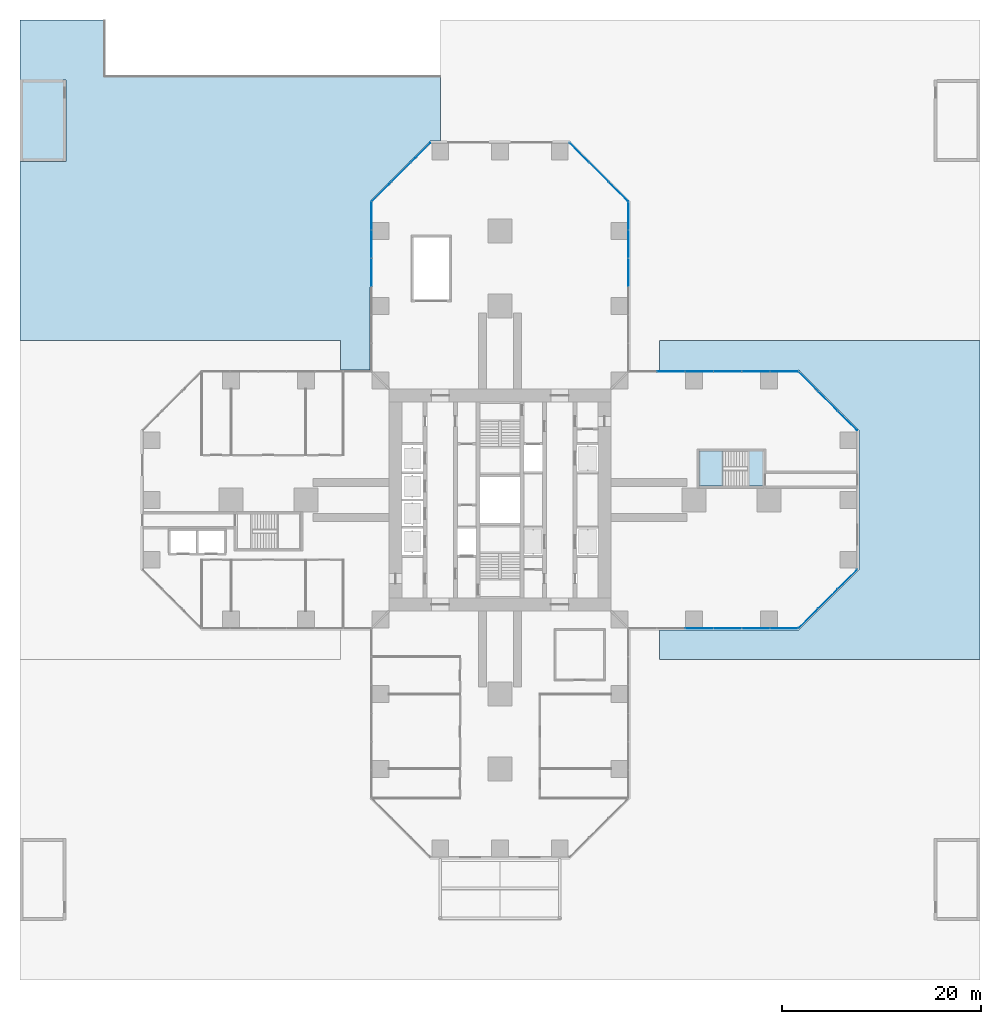
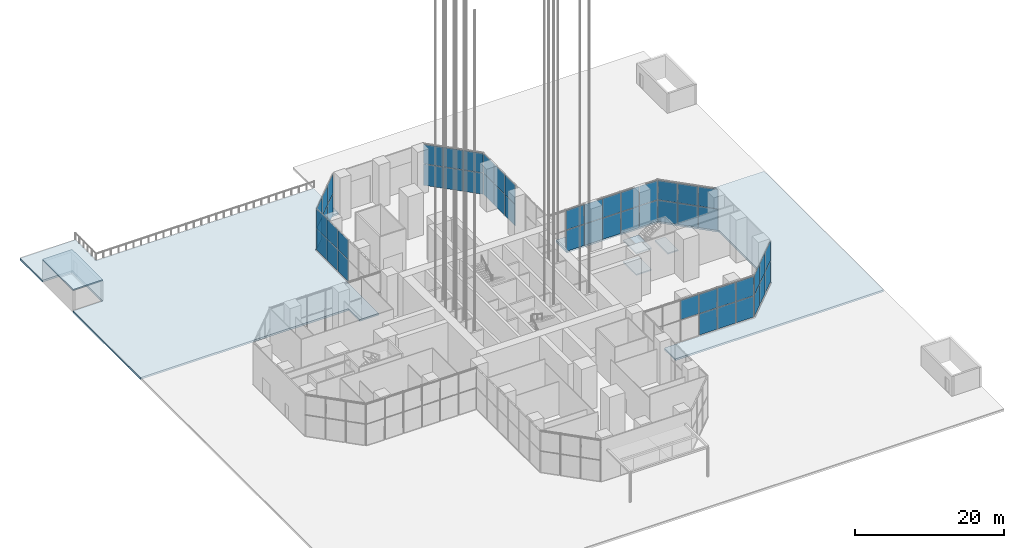
# One storey, part 15 of 43: 53 plates, 6 slabs, 9 elements without a shape of their own.
"""IFC4 building model written with IfcOpenShell, lengths in metres."""

from ifc_helpers import new_model, si_unit, direction, frame, origin, origin_2d, place, context, subcontext, project, spatial, polyline, rectangle, outline, extrude, material, layer, layer_set, type_object, element, aggregate, save


model = new_model("IFC4")

# Units and contexts
model_context = context("Model", 3, precision=1e-05, world=origin(), true_north=direction((0.0, 1.0)))
body_context = subcontext(model_context, "Body", "Model", "MODEL_VIEW")
ifc_project = project(units=[si_unit("LENGTHUNIT", "METRE"), si_unit("AREAUNIT", "SQUARE_METRE"), si_unit("VOLUMEUNIT", "CUBIC_METRE"), si_unit("PLANEANGLEUNIT", "RADIAN"), si_unit("MASSUNIT", "GRAM", prefix="KILO")], contexts=[model_context])

# Site, building, storey
site_placement = place(None, origin())
site = spatial("IfcSite", under=ifc_project, at=site_placement, CompositionType="ELEMENT")
building_placement = place(site_placement, origin())
building = spatial("IfcBuilding", under=site, at=building_placement, Name="Mizan Broadcast Tower", CompositionType="ELEMENT")
storey_placement = place(building_placement, origin())
storey = spatial("IfcBuildingStorey", under=building, at=storey_placement, Name="L00", CompositionType="ELEMENT", Elevation=0.0)

# Curtain wall, plates
ifc_material_1 = material(Name="Aluminium framed glazing", Category="aluminium")
curtain_wall_type = type_object("IfcCurtainWallType", Name="PODIUM CURTAIN WALL", PredefinedType="USERDEFINED", material=ifc_material_1)
curtain_wall_1_placement = place(storey_placement, origin())
curtain_wall_1 = element("IfcCurtainWall", 1, at=curtain_wall_1_placement, inside=storey, type_object=curtain_wall_type, Name="Podium curtain wall L00 E side", ObjectType="PODIUM CURTAIN WALL", PredefinedType="USERDEFINED")
ifc_material_2 = material(Name="Double glazing, clear laminated", Category="glass")
ifc_layer_1 = layer(ifc_material_2, 0.031982421875)
ifc_layer_set_1 = layer_set([ifc_layer_1], Name="Double glazing, clear laminated")
plate_type = type_object("IfcPlateType", Name="PODIUM GLAZING UNIT", PredefinedType="CURTAIN_PANEL", material=ifc_layer_set_1)
plate_1_placement = place(storey_placement, frame((20.0078125, -12.89990234375, 3.5302734375), z_axis=(0.0, 0.0, 1.0), x_axis=(1.0, 0.0, 0.0)))
plate_1 = element("IfcPlate", 2, at=plate_1_placement, type_object=plate_type, Name="Podium curtain wall L00 E side panel 3.2", PredefinedType="CURTAIN_PANEL", context=body_context, shape_type="SweptSolid", body=[
    extrude(rectangle(XDim=2.783203125, YDim=0.031982421875, at=origin_2d()), origin(), (0.0, 0.0, 1.0), 3.159912109375),
])
plate_2_placement = place(storey_placement, frame((22.850830078125, -12.89990234375, 0.0), z_axis=(0.0, 0.0, 1.0), x_axis=(1.0, 0.0, 0.0)))
plate_2 = element("IfcPlate", 3, at=plate_2_placement, type_object=plate_type, Name="Podium curtain wall L00 E side panel 4.1", PredefinedType="CURTAIN_PANEL", context=body_context, shape_type="SweptSolid", body=[
    extrude(rectangle(XDim=2.783203125, YDim=0.031982421875, at=origin_2d()), origin(), (0.0, 0.0, 1.0), 3.469970703125),
])
plate_3_placement = place(storey_placement, frame((22.850830078125, -12.89990234375, 3.5302734375), z_axis=(0.0, 0.0, 1.0), x_axis=(1.0, 0.0, 0.0)))
plate_3 = element("IfcPlate", 4, at=plate_3_placement, type_object=plate_type, Name="Podium curtain wall L00 E side panel 4.2", PredefinedType="CURTAIN_PANEL", context=body_context, shape_type="SweptSolid", body=[
    extrude(rectangle(XDim=2.783203125, YDim=0.031982421875, at=origin_2d()), origin(), (0.0, 0.0, 1.0), 3.159912109375),
])
plate_4_placement = place(storey_placement, frame((25.69384765625, -12.89990234375, 0.0), z_axis=(0.0, 0.0, 1.0), x_axis=(1.0, 0.0, 0.0)))
plate_4 = element("IfcPlate", 5, at=plate_4_placement, type_object=plate_type, Name="Podium curtain wall L00 E side panel 5.1", PredefinedType="CURTAIN_PANEL", context=body_context, shape_type="SweptSolid", body=[
    extrude(rectangle(XDim=2.783203125, YDim=0.031982421875, at=origin_2d()), origin(), (0.0, 0.0, 1.0), 3.469970703125),
])
plate_5_placement = place(storey_placement, frame((25.69384765625, -12.89990234375, 3.5302734375), z_axis=(0.0, 0.0, 1.0), x_axis=(1.0, 0.0, 0.0)))
plate_5 = element("IfcPlate", 6, at=plate_5_placement, type_object=plate_type, Name="Podium curtain wall L00 E side panel 5.2", PredefinedType="CURTAIN_PANEL", context=body_context, shape_type="SweptSolid", body=[
    extrude(rectangle(XDim=2.783203125, YDim=0.031982421875, at=origin_2d()), origin(), (0.0, 0.0, 1.0), 3.159912109375),
])
plate_6_placement = place(storey_placement, frame((28.52197265625, -12.89990234375, 0.0), z_axis=(0.0, 0.0, 1.0), x_axis=(1.0, 0.0, 0.0)))
plate_6 = element("IfcPlate", 7, at=plate_6_placement, type_object=plate_type, Name="Podium curtain wall L00 E side panel 6.1", PredefinedType="CURTAIN_PANEL", context=body_context, shape_type="SweptSolid", body=[
    extrude(rectangle(XDim=2.753173828125, YDim=0.031982421875, at=origin_2d()), origin(), (0.0, 0.0, 1.0), 3.469970703125),
])
plate_7_placement = place(storey_placement, frame((28.52197265625, -12.89990234375, 3.5302734375), z_axis=(0.0, 0.0, 1.0), x_axis=(1.0, 0.0, 0.0)))
plate_7 = element("IfcPlate", 8, at=plate_7_placement, type_object=plate_type, Name="Podium curtain wall L00 E side panel 6.2", PredefinedType="CURTAIN_PANEL", context=body_context, shape_type="SweptSolid", body=[
    extrude(rectangle(XDim=2.753173828125, YDim=0.031982421875, at=origin_2d()), origin(), (0.0, 0.0, 1.0), 3.159912109375),
])
aggregate(curtain_wall_1, [plate_1, plate_2, plate_3, plate_4, plate_5, plate_6, plate_7])

curtain_wall_2_placement = place(storey_placement, origin())
curtain_wall_2 = element("IfcCurtainWall", 9, at=curtain_wall_2_placement, inside=storey, type_object=curtain_wall_type, Name="Podium curtain wall L00 E chamfer", ObjectType="PODIUM CURTAIN WALL", PredefinedType="USERDEFINED")
plate_8_placement = place(storey_placement, frame((30.95947265625, -11.899169921875, 0.0), z_axis=(0.0, 0.0, 1.0), x_axis=(0.707106781187, 0.707106781187, 0.0)))
plate_8 = element("IfcPlate", 10, at=plate_8_placement, type_object=plate_type, Name="Podium curtain wall L00 E chamfer panel 1.1", PredefinedType="CURTAIN_PANEL", context=body_context, shape_type="SweptSolid", body=[
    extrude(rectangle(XDim=2.710693359375, YDim=0.031982421875, at=origin_2d()), origin(), (0.0, 0.0, 1.0), 3.469970703125),
])
plate_9_placement = place(storey_placement, frame((30.95947265625, -11.899169921875, 3.5302734375), z_axis=(0.0, 0.0, 1.0), x_axis=(0.707106781187, 0.707106781187, 0.0)))
plate_9 = element("IfcPlate", 11, at=plate_9_placement, type_object=plate_type, Name="Podium curtain wall L00 E chamfer panel 1.2", PredefinedType="CURTAIN_PANEL", context=body_context, shape_type="SweptSolid", body=[
    extrude(rectangle(XDim=2.710693359375, YDim=0.031982421875, at=origin_2d()), origin(), (0.0, 0.0, 1.0), 3.159912109375),
])
plate_10_placement = place(storey_placement, frame((32.92919921875, -9.92919921875, 0.0), z_axis=(0.0, 0.0, 1.0), x_axis=(0.707106781187, 0.707106781187, 0.0)))
plate_10 = element("IfcPlate", 12, at=plate_10_placement, type_object=plate_type, Name="Podium curtain wall L00 E chamfer panel 2.1", PredefinedType="CURTAIN_PANEL", context=body_context, shape_type="SweptSolid", body=[
    extrude(rectangle(XDim=2.74072265625, YDim=0.031982421875, at=origin_2d()), origin(), (0.0, 0.0, 1.0), 3.469970703125),
])
plate_11_placement = place(storey_placement, frame((32.92919921875, -9.92919921875, 3.5302734375), z_axis=(0.0, 0.0, 1.0), x_axis=(0.707106781187, 0.707106781187, 0.0)))
plate_11 = element("IfcPlate", 13, at=plate_11_placement, type_object=plate_type, Name="Podium curtain wall L00 E chamfer panel 2.2", PredefinedType="CURTAIN_PANEL", context=body_context, shape_type="SweptSolid", body=[
    extrude(rectangle(XDim=2.74072265625, YDim=0.031982421875, at=origin_2d()), origin(), (0.0, 0.0, 1.0), 3.159912109375),
])
plate_12_placement = place(storey_placement, frame((34.899169921875, -7.95947265625, 0.0), z_axis=(0.0, 0.0, 1.0), x_axis=(0.707106781187, 0.707106781187, 0.0)))
plate_12 = element("IfcPlate", 14, at=plate_12_placement, type_object=plate_type, Name="Podium curtain wall L00 E chamfer panel 3.1", PredefinedType="CURTAIN_PANEL", context=body_context, shape_type="SweptSolid", body=[
    extrude(rectangle(XDim=2.710693359375, YDim=0.031982421875, at=origin_2d()), origin(), (0.0, 0.0, 1.0), 3.469970703125),
])
plate_13_placement = place(storey_placement, frame((34.899169921875, -7.95947265625, 3.5302734375), z_axis=(0.0, 0.0, 1.0), x_axis=(0.707106781187, 0.707106781187, 0.0)))
plate_13 = element("IfcPlate", 15, at=plate_13_placement, type_object=plate_type, Name="Podium curtain wall L00 E chamfer panel 3.2", PredefinedType="CURTAIN_PANEL", context=body_context, shape_type="SweptSolid", body=[
    extrude(rectangle(XDim=2.710693359375, YDim=0.031982421875, at=origin_2d()), origin(), (0.0, 0.0, 1.0), 3.159912109375),
])
aggregate(curtain_wall_2, [plate_8, plate_9, plate_10, plate_11, plate_12, plate_13])

curtain_wall_3_placement = place(storey_placement, origin())
curtain_wall_3 = element("IfcCurtainWall", 16, at=curtain_wall_3_placement, inside=storey, type_object=curtain_wall_type, Name="Podium curtain wall L00 E chamfer", ObjectType="PODIUM CURTAIN WALL", PredefinedType="USERDEFINED")
plate_14_placement = place(storey_placement, frame((34.899169921875, 7.95947265625, 0.0), z_axis=(0.0, 0.0, 1.0), x_axis=(-0.707106781187, 0.707106781187, 0.0)))
plate_14 = element("IfcPlate", 17, at=plate_14_placement, type_object=plate_type, Name="Podium curtain wall L00 E chamfer panel 1.1", PredefinedType="CURTAIN_PANEL", context=body_context, shape_type="SweptSolid", body=[
    extrude(rectangle(XDim=2.710693359375, YDim=0.031982421875, at=origin_2d()), origin(), (0.0, 0.0, 1.0), 3.469970703125),
])
plate_15_placement = place(storey_placement, frame((34.899169921875, 7.95947265625, 3.5302734375), z_axis=(0.0, 0.0, 1.0), x_axis=(-0.707106781187, 0.707106781187, 0.0)))
plate_15 = element("IfcPlate", 18, at=plate_15_placement, type_object=plate_type, Name="Podium curtain wall L00 E chamfer panel 1.2", PredefinedType="CURTAIN_PANEL", context=body_context, shape_type="SweptSolid", body=[
    extrude(rectangle(XDim=2.710693359375, YDim=0.031982421875, at=origin_2d()), origin(), (0.0, 0.0, 1.0), 3.159912109375),
])
plate_16_placement = place(storey_placement, frame((32.92919921875, 9.92919921875, 0.0), z_axis=(0.0, 0.0, 1.0), x_axis=(-0.707106781187, 0.707106781187, 0.0)))
plate_16 = element("IfcPlate", 19, at=plate_16_placement, type_object=plate_type, Name="Podium curtain wall L00 E chamfer panel 2.1", PredefinedType="CURTAIN_PANEL", context=body_context, shape_type="SweptSolid", body=[
    extrude(rectangle(XDim=2.74072265625, YDim=0.031982421875, at=origin_2d()), origin(), (0.0, 0.0, 1.0), 3.469970703125),
])
plate_17_placement = place(storey_placement, frame((32.92919921875, 9.92919921875, 3.5302734375), z_axis=(0.0, 0.0, 1.0), x_axis=(-0.707106781187, 0.707106781187, 0.0)))
plate_17 = element("IfcPlate", 20, at=plate_17_placement, type_object=plate_type, Name="Podium curtain wall L00 E chamfer panel 2.2", PredefinedType="CURTAIN_PANEL", context=body_context, shape_type="SweptSolid", body=[
    extrude(rectangle(XDim=2.74072265625, YDim=0.031982421875, at=origin_2d()), origin(), (0.0, 0.0, 1.0), 3.159912109375),
])
plate_18_placement = place(storey_placement, frame((30.95947265625, 11.899169921875, 0.0), z_axis=(0.0, 0.0, 1.0), x_axis=(-0.707106781187, 0.707106781187, 0.0)))
plate_18 = element("IfcPlate", 21, at=plate_18_placement, type_object=plate_type, Name="Podium curtain wall L00 E chamfer panel 3.1", PredefinedType="CURTAIN_PANEL", context=body_context, shape_type="SweptSolid", body=[
    extrude(rectangle(XDim=2.710693359375, YDim=0.031982421875, at=origin_2d()), origin(), (0.0, 0.0, 1.0), 3.469970703125),
])
plate_19_placement = place(storey_placement, frame((30.95947265625, 11.899169921875, 3.5302734375), z_axis=(0.0, 0.0, 1.0), x_axis=(-0.707106781187, 0.707106781187, 0.0)))
plate_19 = element("IfcPlate", 22, at=plate_19_placement, type_object=plate_type, Name="Podium curtain wall L00 E chamfer panel 3.2", PredefinedType="CURTAIN_PANEL", context=body_context, shape_type="SweptSolid", body=[
    extrude(rectangle(XDim=2.710693359375, YDim=0.031982421875, at=origin_2d()), origin(), (0.0, 0.0, 1.0), 3.159912109375),
])
aggregate(curtain_wall_3, [plate_14, plate_15, plate_16, plate_17, plate_18, plate_19])

curtain_wall_4_placement = place(storey_placement, origin())
curtain_wall_4 = element("IfcCurtainWall", 23, at=curtain_wall_4_placement, inside=storey, type_object=curtain_wall_type, Name="Podium curtain wall L00 E side", ObjectType="PODIUM CURTAIN WALL", PredefinedType="USERDEFINED")
plate_20_placement = place(storey_placement, frame((28.52197265625, 12.89990234375, 0.0), z_axis=(0.0, 0.0, 1.0), x_axis=(-1.0, 0.0, 0.0)))
plate_20 = element("IfcPlate", 24, at=plate_20_placement, type_object=plate_type, Name="Podium curtain wall L00 E side panel 1.1", PredefinedType="CURTAIN_PANEL", context=body_context, shape_type="SweptSolid", body=[
    extrude(rectangle(XDim=2.753173828125, YDim=0.031982421875, at=origin_2d()), origin(), (0.0, 0.0, 1.0), 3.469970703125),
])
plate_21_placement = place(storey_placement, frame((28.52197265625, 12.89990234375, 3.5302734375), z_axis=(0.0, 0.0, 1.0), x_axis=(-1.0, 0.0, 0.0)))
plate_21 = element("IfcPlate", 25, at=plate_21_placement, type_object=plate_type, Name="Podium curtain wall L00 E side panel 1.2", PredefinedType="CURTAIN_PANEL", context=body_context, shape_type="SweptSolid", body=[
    extrude(rectangle(XDim=2.753173828125, YDim=0.031982421875, at=origin_2d()), origin(), (0.0, 0.0, 1.0), 3.159912109375),
])
plate_22_placement = place(storey_placement, frame((25.69384765625, 12.89990234375, 0.0), z_axis=(0.0, 0.0, 1.0), x_axis=(-1.0, 0.0, 0.0)))
plate_22 = element("IfcPlate", 26, at=plate_22_placement, type_object=plate_type, Name="Podium curtain wall L00 E side panel 2.1", PredefinedType="CURTAIN_PANEL", context=body_context, shape_type="SweptSolid", body=[
    extrude(rectangle(XDim=2.783203125, YDim=0.031982421875, at=origin_2d()), origin(), (0.0, 0.0, 1.0), 3.469970703125),
])
plate_23_placement = place(storey_placement, frame((25.69384765625, 12.89990234375, 3.5302734375), z_axis=(0.0, 0.0, 1.0), x_axis=(-1.0, 0.0, 0.0)))
plate_23 = element("IfcPlate", 27, at=plate_23_placement, type_object=plate_type, Name="Podium curtain wall L00 E side panel 2.2", PredefinedType="CURTAIN_PANEL", context=body_context, shape_type="SweptSolid", body=[
    extrude(rectangle(XDim=2.783203125, YDim=0.031982421875, at=origin_2d()), origin(), (0.0, 0.0, 1.0), 3.159912109375),
])
plate_24_placement = place(storey_placement, frame((22.850830078125, 12.89990234375, 0.0), z_axis=(0.0, 0.0, 1.0), x_axis=(-1.0, 0.0, 0.0)))
plate_24 = element("IfcPlate", 28, at=plate_24_placement, type_object=plate_type, Name="Podium curtain wall L00 E side panel 3.1", PredefinedType="CURTAIN_PANEL", context=body_context, shape_type="SweptSolid", body=[
    extrude(rectangle(XDim=2.783203125, YDim=0.031982421875, at=origin_2d()), origin(), (0.0, 0.0, 1.0), 3.469970703125),
])
plate_25_placement = place(storey_placement, frame((22.850830078125, 12.89990234375, 3.5302734375), z_axis=(0.0, 0.0, 1.0), x_axis=(-1.0, 0.0, 0.0)))
plate_25 = element("IfcPlate", 29, at=plate_25_placement, type_object=plate_type, Name="Podium curtain wall L00 E side panel 3.2", PredefinedType="CURTAIN_PANEL", context=body_context, shape_type="SweptSolid", body=[
    extrude(rectangle(XDim=2.783203125, YDim=0.031982421875, at=origin_2d()), origin(), (0.0, 0.0, 1.0), 3.159912109375),
])
plate_26_placement = place(storey_placement, frame((20.0078125, 12.89990234375, 0.0), z_axis=(0.0, 0.0, 1.0), x_axis=(-1.0, 0.0, 0.0)))
plate_26 = element("IfcPlate", 30, at=plate_26_placement, type_object=plate_type, Name="Podium curtain wall L00 E side panel 4.1", PredefinedType="CURTAIN_PANEL", context=body_context, shape_type="SweptSolid", body=[
    extrude(rectangle(XDim=2.783203125, YDim=0.031982421875, at=origin_2d()), origin(), (0.0, 0.0, 1.0), 3.469970703125),
])
plate_27_placement = place(storey_placement, frame((20.0078125, 12.89990234375, 3.5302734375), z_axis=(0.0, 0.0, 1.0), x_axis=(-1.0, 0.0, 0.0)))
plate_27 = element("IfcPlate", 31, at=plate_27_placement, type_object=plate_type, Name="Podium curtain wall L00 E side panel 4.2", PredefinedType="CURTAIN_PANEL", context=body_context, shape_type="SweptSolid", body=[
    extrude(rectangle(XDim=2.783203125, YDim=0.031982421875, at=origin_2d()), origin(), (0.0, 0.0, 1.0), 3.159912109375),
])
plate_28_placement = place(storey_placement, frame((17.16455078125, 12.89990234375, 0.0), z_axis=(0.0, 0.0, 1.0), x_axis=(-1.0, 0.0, 0.0)))
plate_28 = element("IfcPlate", 32, at=plate_28_placement, type_object=plate_type, Name="Podium curtain wall L00 E side panel 5.1", PredefinedType="CURTAIN_PANEL", context=body_context, shape_type="SweptSolid", body=[
    extrude(rectangle(XDim=2.783203125, YDim=0.031982421875, at=origin_2d()), origin(), (0.0, 0.0, 1.0), 3.469970703125),
])
plate_29_placement = place(storey_placement, frame((17.16455078125, 12.89990234375, 3.5302734375), z_axis=(0.0, 0.0, 1.0), x_axis=(-1.0, 0.0, 0.0)))
plate_29 = element("IfcPlate", 33, at=plate_29_placement, type_object=plate_type, Name="Podium curtain wall L00 E side panel 5.2", PredefinedType="CURTAIN_PANEL", context=body_context, shape_type="SweptSolid", body=[
    extrude(rectangle(XDim=2.783203125, YDim=0.031982421875, at=origin_2d()), origin(), (0.0, 0.0, 1.0), 3.159912109375),
])
aggregate(curtain_wall_4, [plate_20, plate_21, plate_22, plate_23, plate_24, plate_25, plate_26, plate_27, plate_28, plate_29])

curtain_wall_5_placement = place(storey_placement, origin())
curtain_wall_5 = element("IfcCurtainWall", 34, at=curtain_wall_5_placement, inside=storey, type_object=curtain_wall_type, Name="Podium curtain wall L00 N side", ObjectType="PODIUM CURTAIN WALL", PredefinedType="USERDEFINED")
plate_30_placement = place(storey_placement, frame((12.89990234375, 22.850830078125, 0.0), z_axis=(0.0, 0.0, 1.0), x_axis=(0.0, 1.0, 0.0)))
plate_30 = element("IfcPlate", 35, at=plate_30_placement, type_object=plate_type, Name="Podium curtain wall L00 N side panel 4.1", PredefinedType="CURTAIN_PANEL", context=body_context, shape_type="SweptSolid", body=[
    extrude(rectangle(XDim=2.783203125, YDim=0.031982421875, at=origin_2d()), origin(), (0.0, 0.0, 1.0), 3.469970703125),
])
plate_31_placement = place(storey_placement, frame((12.89990234375, 22.850830078125, 3.5302734375), z_axis=(0.0, 0.0, 1.0), x_axis=(0.0, 1.0, 0.0)))
plate_31 = element("IfcPlate", 36, at=plate_31_placement, type_object=plate_type, Name="Podium curtain wall L00 N side panel 4.2", PredefinedType="CURTAIN_PANEL", context=body_context, shape_type="SweptSolid", body=[
    extrude(rectangle(XDim=2.783203125, YDim=0.031982421875, at=origin_2d()), origin(), (0.0, 0.0, 1.0), 3.159912109375),
])
plate_32_placement = place(storey_placement, frame((12.89990234375, 25.69384765625, 0.0), z_axis=(0.0, 0.0, 1.0), x_axis=(0.0, 1.0, 0.0)))
plate_32 = element("IfcPlate", 37, at=plate_32_placement, type_object=plate_type, Name="Podium curtain wall L00 N side panel 5.1", PredefinedType="CURTAIN_PANEL", context=body_context, shape_type="SweptSolid", body=[
    extrude(rectangle(XDim=2.783203125, YDim=0.031982421875, at=origin_2d()), origin(), (0.0, 0.0, 1.0), 3.469970703125),
])
plate_33_placement = place(storey_placement, frame((12.89990234375, 25.69384765625, 3.5302734375), z_axis=(0.0, 0.0, 1.0), x_axis=(0.0, 1.0, 0.0)))
plate_33 = element("IfcPlate", 38, at=plate_33_placement, type_object=plate_type, Name="Podium curtain wall L00 N side panel 5.2", PredefinedType="CURTAIN_PANEL", context=body_context, shape_type="SweptSolid", body=[
    extrude(rectangle(XDim=2.783203125, YDim=0.031982421875, at=origin_2d()), origin(), (0.0, 0.0, 1.0), 3.159912109375),
])
plate_34_placement = place(storey_placement, frame((12.89990234375, 28.52197265625, 0.0), z_axis=(0.0, 0.0, 1.0), x_axis=(0.0, 1.0, 0.0)))
plate_34 = element("IfcPlate", 39, at=plate_34_placement, type_object=plate_type, Name="Podium curtain wall L00 N side panel 6.1", PredefinedType="CURTAIN_PANEL", context=body_context, shape_type="SweptSolid", body=[
    extrude(rectangle(XDim=2.753173828125, YDim=0.031982421875, at=origin_2d()), origin(), (0.0, 0.0, 1.0), 3.469970703125),
])
plate_35_placement = place(storey_placement, frame((12.89990234375, 28.52197265625, 3.5302734375), z_axis=(0.0, 0.0, 1.0), x_axis=(0.0, 1.0, 0.0)))
plate_35 = element("IfcPlate", 40, at=plate_35_placement, type_object=plate_type, Name="Podium curtain wall L00 N side panel 6.2", PredefinedType="CURTAIN_PANEL", context=body_context, shape_type="SweptSolid", body=[
    extrude(rectangle(XDim=2.753173828125, YDim=0.031982421875, at=origin_2d()), origin(), (0.0, 0.0, 1.0), 3.159912109375),
])
aggregate(curtain_wall_5, [plate_30, plate_31, plate_32, plate_33, plate_34, plate_35])

curtain_wall_6_placement = place(storey_placement, origin())
curtain_wall_6 = element("IfcCurtainWall", 41, at=curtain_wall_6_placement, inside=storey, type_object=curtain_wall_type, Name="Podium curtain wall L00 N chamfer", ObjectType="PODIUM CURTAIN WALL", PredefinedType="USERDEFINED")
plate_36_placement = place(storey_placement, frame((11.899169921875, 30.95947265625, 0.0), z_axis=(0.0, 0.0, 1.0), x_axis=(-0.707106781187, 0.707106781187, 0.0)))
plate_36 = element("IfcPlate", 42, at=plate_36_placement, type_object=plate_type, Name="Podium curtain wall L00 N chamfer panel 1.1", PredefinedType="CURTAIN_PANEL", context=body_context, shape_type="SweptSolid", body=[
    extrude(rectangle(XDim=2.710693359375, YDim=0.031982421875, at=origin_2d()), origin(), (0.0, 0.0, 1.0), 3.469970703125),
])
plate_37_placement = place(storey_placement, frame((11.899169921875, 30.95947265625, 3.5302734375), z_axis=(0.0, 0.0, 1.0), x_axis=(-0.707106781187, 0.707106781187, 0.0)))
plate_37 = element("IfcPlate", 43, at=plate_37_placement, type_object=plate_type, Name="Podium curtain wall L00 N chamfer panel 1.2", PredefinedType="CURTAIN_PANEL", context=body_context, shape_type="SweptSolid", body=[
    extrude(rectangle(XDim=2.710693359375, YDim=0.031982421875, at=origin_2d()), origin(), (0.0, 0.0, 1.0), 3.159912109375),
])
plate_38_placement = place(storey_placement, frame((9.92919921875, 32.92919921875, 0.0), z_axis=(0.0, 0.0, 1.0), x_axis=(-0.707106781187, 0.707106781187, 0.0)))
plate_38 = element("IfcPlate", 44, at=plate_38_placement, type_object=plate_type, Name="Podium curtain wall L00 N chamfer panel 2.1", PredefinedType="CURTAIN_PANEL", context=body_context, shape_type="SweptSolid", body=[
    extrude(rectangle(XDim=2.74072265625, YDim=0.031982421875, at=origin_2d()), origin(), (0.0, 0.0, 1.0), 3.469970703125),
])
plate_39_placement = place(storey_placement, frame((9.92919921875, 32.92919921875, 3.5302734375), z_axis=(0.0, 0.0, 1.0), x_axis=(-0.707106781187, 0.707106781187, 0.0)))
plate_39 = element("IfcPlate", 45, at=plate_39_placement, type_object=plate_type, Name="Podium curtain wall L00 N chamfer panel 2.2", PredefinedType="CURTAIN_PANEL", context=body_context, shape_type="SweptSolid", body=[
    extrude(rectangle(XDim=2.74072265625, YDim=0.031982421875, at=origin_2d()), origin(), (0.0, 0.0, 1.0), 3.159912109375),
])
plate_40_placement = place(storey_placement, frame((7.95947265625, 34.899169921875, 0.0), z_axis=(0.0, 0.0, 1.0), x_axis=(-0.707106781187, 0.707106781187, 0.0)))
plate_40 = element("IfcPlate", 46, at=plate_40_placement, type_object=plate_type, Name="Podium curtain wall L00 N chamfer panel 3.1", PredefinedType="CURTAIN_PANEL", context=body_context, shape_type="SweptSolid", body=[
    extrude(rectangle(XDim=2.710693359375, YDim=0.031982421875, at=origin_2d()), origin(), (0.0, 0.0, 1.0), 3.469970703125),
])
plate_41_placement = place(storey_placement, frame((7.95947265625, 34.899169921875, 3.5302734375), z_axis=(0.0, 0.0, 1.0), x_axis=(-0.707106781187, 0.707106781187, 0.0)))
plate_41 = element("IfcPlate", 47, at=plate_41_placement, type_object=plate_type, Name="Podium curtain wall L00 N chamfer panel 3.2", PredefinedType="CURTAIN_PANEL", context=body_context, shape_type="SweptSolid", body=[
    extrude(rectangle(XDim=2.710693359375, YDim=0.031982421875, at=origin_2d()), origin(), (0.0, 0.0, 1.0), 3.159912109375),
])
aggregate(curtain_wall_6, [plate_36, plate_37, plate_38, plate_39, plate_40, plate_41])

curtain_wall_7_placement = place(storey_placement, origin())
curtain_wall_7 = element("IfcCurtainWall", 48, at=curtain_wall_7_placement, inside=storey, type_object=curtain_wall_type, Name="Podium curtain wall L00 N chamfer", ObjectType="PODIUM CURTAIN WALL", PredefinedType="USERDEFINED")
plate_42_placement = place(storey_placement, frame((-7.95947265625, 34.899169921875, 0.0), z_axis=(0.0, 0.0, 1.0), x_axis=(-0.707106781187, -0.707106781187, 0.0)))
plate_42 = element("IfcPlate", 49, at=plate_42_placement, type_object=plate_type, Name="Podium curtain wall L00 N chamfer panel 1.1", PredefinedType="CURTAIN_PANEL", context=body_context, shape_type="SweptSolid", body=[
    extrude(rectangle(XDim=2.710693359375, YDim=0.031982421875, at=origin_2d()), origin(), (0.0, 0.0, 1.0), 3.469970703125),
])
plate_43_placement = place(storey_placement, frame((-7.95947265625, 34.899169921875, 3.5302734375), z_axis=(0.0, 0.0, 1.0), x_axis=(-0.707106781187, -0.707106781187, 0.0)))
plate_43 = element("IfcPlate", 50, at=plate_43_placement, type_object=plate_type, Name="Podium curtain wall L00 N chamfer panel 1.2", PredefinedType="CURTAIN_PANEL", context=body_context, shape_type="SweptSolid", body=[
    extrude(rectangle(XDim=2.710693359375, YDim=0.031982421875, at=origin_2d()), origin(), (0.0, 0.0, 1.0), 3.159912109375),
])
plate_44_placement = place(storey_placement, frame((-9.92919921875, 32.92919921875, 0.0), z_axis=(0.0, 0.0, 1.0), x_axis=(-0.707106781187, -0.707106781187, 0.0)))
plate_44 = element("IfcPlate", 51, at=plate_44_placement, type_object=plate_type, Name="Podium curtain wall L00 N chamfer panel 2.1", PredefinedType="CURTAIN_PANEL", context=body_context, shape_type="SweptSolid", body=[
    extrude(rectangle(XDim=2.74072265625, YDim=0.031982421875, at=origin_2d()), origin(), (0.0, 0.0, 1.0), 3.469970703125),
])
plate_45_placement = place(storey_placement, frame((-9.92919921875, 32.92919921875, 3.5302734375), z_axis=(0.0, 0.0, 1.0), x_axis=(-0.707106781187, -0.707106781187, 0.0)))
plate_45 = element("IfcPlate", 52, at=plate_45_placement, type_object=plate_type, Name="Podium curtain wall L00 N chamfer panel 2.2", PredefinedType="CURTAIN_PANEL", context=body_context, shape_type="SweptSolid", body=[
    extrude(rectangle(XDim=2.74072265625, YDim=0.031982421875, at=origin_2d()), origin(), (0.0, 0.0, 1.0), 3.159912109375),
])
plate_46_placement = place(storey_placement, frame((-11.899169921875, 30.95947265625, 0.0), z_axis=(0.0, 0.0, 1.0), x_axis=(-0.707106781187, -0.707106781187, 0.0)))
plate_46 = element("IfcPlate", 53, at=plate_46_placement, type_object=plate_type, Name="Podium curtain wall L00 N chamfer panel 3.1", PredefinedType="CURTAIN_PANEL", context=body_context, shape_type="SweptSolid", body=[
    extrude(rectangle(XDim=2.710693359375, YDim=0.031982421875, at=origin_2d()), origin(), (0.0, 0.0, 1.0), 3.469970703125),
])
plate_47_placement = place(storey_placement, frame((-11.899169921875, 30.95947265625, 3.5302734375), z_axis=(0.0, 0.0, 1.0), x_axis=(-0.707106781187, -0.707106781187, 0.0)))
plate_47 = element("IfcPlate", 54, at=plate_47_placement, type_object=plate_type, Name="Podium curtain wall L00 N chamfer panel 3.2", PredefinedType="CURTAIN_PANEL", context=body_context, shape_type="SweptSolid", body=[
    extrude(rectangle(XDim=2.710693359375, YDim=0.031982421875, at=origin_2d()), origin(), (0.0, 0.0, 1.0), 3.159912109375),
])
aggregate(curtain_wall_7, [plate_42, plate_43, plate_44, plate_45, plate_46, plate_47])

curtain_wall_8_placement = place(storey_placement, origin())
curtain_wall_8 = element("IfcCurtainWall", 55, at=curtain_wall_8_placement, inside=storey, type_object=curtain_wall_type, Name="Podium curtain wall L00 N side", ObjectType="PODIUM CURTAIN WALL", PredefinedType="USERDEFINED")
plate_48_placement = place(storey_placement, frame((-12.89990234375, 28.52197265625, 0.0), z_axis=(0.0, 0.0, 1.0), x_axis=(0.0, -1.0, 0.0)))
plate_48 = element("IfcPlate", 56, at=plate_48_placement, type_object=plate_type, Name="Podium curtain wall L00 N side panel 1.1", PredefinedType="CURTAIN_PANEL", context=body_context, shape_type="SweptSolid", body=[
    extrude(rectangle(XDim=2.753173828125, YDim=0.031982421875, at=origin_2d()), origin(), (0.0, 0.0, 1.0), 3.469970703125),
])
plate_49_placement = place(storey_placement, frame((-12.89990234375, 28.52197265625, 3.5302734375), z_axis=(0.0, 0.0, 1.0), x_axis=(0.0, -1.0, 0.0)))
plate_49 = element("IfcPlate", 57, at=plate_49_placement, type_object=plate_type, Name="Podium curtain wall L00 N side panel 1.2", PredefinedType="CURTAIN_PANEL", context=body_context, shape_type="SweptSolid", body=[
    extrude(rectangle(XDim=2.753173828125, YDim=0.031982421875, at=origin_2d()), origin(), (0.0, 0.0, 1.0), 3.159912109375),
])
plate_50_placement = place(storey_placement, frame((-12.89990234375, 25.69384765625, 0.0), z_axis=(0.0, 0.0, 1.0), x_axis=(0.0, -1.0, 0.0)))
plate_50 = element("IfcPlate", 58, at=plate_50_placement, type_object=plate_type, Name="Podium curtain wall L00 N side panel 2.1", PredefinedType="CURTAIN_PANEL", context=body_context, shape_type="SweptSolid", body=[
    extrude(rectangle(XDim=2.783203125, YDim=0.031982421875, at=origin_2d()), origin(), (0.0, 0.0, 1.0), 3.469970703125),
])
plate_51_placement = place(storey_placement, frame((-12.89990234375, 25.69384765625, 3.5302734375), z_axis=(0.0, 0.0, 1.0), x_axis=(0.0, -1.0, 0.0)))
plate_51 = element("IfcPlate", 59, at=plate_51_placement, type_object=plate_type, Name="Podium curtain wall L00 N side panel 2.2", PredefinedType="CURTAIN_PANEL", context=body_context, shape_type="SweptSolid", body=[
    extrude(rectangle(XDim=2.783203125, YDim=0.031982421875, at=origin_2d()), origin(), (0.0, 0.0, 1.0), 3.159912109375),
])
plate_52_placement = place(storey_placement, frame((-12.89990234375, 22.850830078125, 0.0), z_axis=(0.0, 0.0, 1.0), x_axis=(0.0, -1.0, 0.0)))
plate_52 = element("IfcPlate", 60, at=plate_52_placement, type_object=plate_type, Name="Podium curtain wall L00 N side panel 3.1", PredefinedType="CURTAIN_PANEL", context=body_context, shape_type="SweptSolid", body=[
    extrude(rectangle(XDim=2.783203125, YDim=0.031982421875, at=origin_2d()), origin(), (0.0, 0.0, 1.0), 3.469970703125),
])
plate_53_placement = place(storey_placement, frame((-12.89990234375, 22.850830078125, 3.5302734375), z_axis=(0.0, 0.0, 1.0), x_axis=(0.0, -1.0, 0.0)))
plate_53 = element("IfcPlate", 61, at=plate_53_placement, type_object=plate_type, Name="Podium curtain wall L00 N side panel 3.2", PredefinedType="CURTAIN_PANEL", context=body_context, shape_type="SweptSolid", body=[
    extrude(rectangle(XDim=2.783203125, YDim=0.031982421875, at=origin_2d()), origin(), (0.0, 0.0, 1.0), 3.159912109375),
])
aggregate(curtain_wall_8, [plate_48, plate_49, plate_50, plate_51, plate_52, plate_53])

# Slabs
ifc_material_3 = material(Name="Concrete C40/50", Category="concrete")
ifc_layer_2 = layer(ifc_material_3, 0.300048828125)
ifc_layer_set_2 = layer_set([ifc_layer_2], Name="Concrete C40/50")
slab_type_1 = type_object("IfcSlabType", Name="RC PLAZA DECK 300", PredefinedType="FLOOR", material=ifc_layer_set_2)
slab_1_placement = place(storey_placement, frame((0.0, 0.0, -0.39990234375)))
element("IfcSlab", 62, at=slab_1_placement, inside=storey, type_object=slab_type_1, Name="Plaza deck slab east bay", PredefinedType="FLOOR", context=body_context, shape_type="SweptSolid", body=[
    extrude(outline(polyline([(48.199951171875, -16.0), (48.199951171875, 16.0), (16.0, 16.0), (16.0, 13.050048828125), (30.020751953125, 13.050048828125), (36.050048828125, 7.020751953125), (36.050048828125, -7.020751953125), (30.020751953125, -13.050048828125), (16.0, -13.050048828125), (16.0, -16.0), (48.199951171875, -16.0)])), origin(), (0.0, 0.0, 1.0), 0.2998046875),
])
slab_2_placement = place(storey_placement, frame((0.0, 0.0, -0.39990234375)))
element("IfcSlab", 63, at=slab_2_placement, inside=storey, type_object=slab_type_1, Name="Plaza deck slab north bay west of the ramp head", PredefinedType="FLOOR", context=body_context, shape_type="SweptSolid", body=[
    extrude(outline(polyline([(-7.020751953125, 36.050048828125), (-6.0, 36.050048828125), (-6.0, 42.64990234375), (-39.60009765625, 42.64990234375), (-39.60009765625, 48.199951171875), (-48.199951171875, 48.199951171875), (-48.199951171875, 42.199951171875), (-43.60009765625, 42.199951171875), (-43.60009765625, 34.0), (-48.199951171875, 34.0), (-48.199951171875, 16.0), (-16.0, 16.0), (-16.0, 13.050048828125), (-13.050048828125, 13.050048828125), (-13.050048828125, 30.020751953125), (-7.020751953125, 36.050048828125)])), origin(), (0.0, 0.0, 1.0), 0.2998046875),
])
ifc_material_4 = material(Name="Concrete C32/40", Category="concrete")
ifc_layer_3 = layer(ifc_material_4, 0.199951171875)
ifc_layer_set_3 = layer_set([ifc_layer_3], Name="Concrete C32/40")
slab_type_2 = type_object("IfcSlabType", Name="STAIR HEAD-HOUSE ROOF 200", PredefinedType="ROOF", material=ifc_layer_set_3)
slab_3_placement = place(storey_placement, frame((0.0, 0.0, 3.199951171875)))
element("IfcSlab", 64, at=slab_3_placement, inside=storey, type_object=slab_type_2, Name="Stair F head-house roof", PredefinedType="ROOF", context=body_context, shape_type="SweptSolid", body=[
    extrude(outline(polyline([(-48.199951171875, 34.0), (-43.60009765625, 34.0), (-43.60009765625, 42.199951171875), (-48.199951171875, 42.199951171875), (-48.199951171875, 34.0)])), origin(), (0.0, 0.0, 1.0), 0.199951171875),
])

# Stair, slabs
ifc_material_5 = material(Name="Concrete C40/50", Category="concrete")
stair_type = type_object("IfcStairType", Name="EXIT STAIR", PredefinedType="HALF_TURN_STAIR", material=ifc_material_5)
stair_placement = place(storey_placement, origin())
stair = element("IfcStair", 65, at=stair_placement, inside=storey, type_object=stair_type, Name="Stair C L00", PredefinedType="HALF_TURN_STAIR")
ifc_material_6 = material(Name="Concrete C40/50", Category="concrete")
ifc_layer_4 = layer(ifc_material_6, 0.199951171875)
ifc_layer_set_4 = layer_set([ifc_layer_4], Name="Concrete C40/50")
slab_type_3 = type_object("IfcSlabType", Name="STAIR LANDING 200", PredefinedType="LANDING", material=ifc_layer_set_4)
slab_4_placement = place(storey_placement, frame((0.0, 0.0, 1.550048828125)))
slab_4 = element("IfcSlab", 66, at=slab_4_placement, type_object=slab_type_3, Name="C landing 1", PredefinedType="LANDING", context=body_context, shape_type="SweptSolid", body=[
    extrude(outline(polyline([(22.3701171875, 1.39990234375), (20.0, 1.39990234375), (20.0, 4.89990234375), (22.3701171875, 4.89990234375), (22.3701171875, 1.39990234375)])), origin(), (0.0, 0.0, 1.0), 0.199951171875),
])
slab_5_placement = place(storey_placement, frame((0.0, 0.0, 3.300048828125)))
slab_5 = element("IfcSlab", 67, at=slab_5_placement, type_object=slab_type_3, Name="C landing 2", PredefinedType="LANDING", context=body_context, shape_type="SweptSolid", body=[
    extrude(outline(polyline([(26.5, 1.39990234375), (24.889892578125, 1.39990234375), (24.889892578125, 4.89990234375), (26.5, 4.89990234375), (26.5, 1.39990234375)])), origin(), (0.0, 0.0, 1.0), 0.199951171875),
])
slab_6_placement = place(storey_placement, frame((0.0, 0.0, 5.050048828125)))
slab_6 = element("IfcSlab", 68, at=slab_6_placement, type_object=slab_type_3, Name="C landing 3", PredefinedType="LANDING", context=body_context, shape_type="SweptSolid", body=[
    extrude(outline(polyline([(22.3701171875, 1.39990234375), (20.0, 1.39990234375), (20.0, 4.89990234375), (22.3701171875, 4.89990234375), (22.3701171875, 1.39990234375)])), origin(), (0.0, 0.0, 1.0), 0.199951171875),
])
aggregate(stair, [slab_4, slab_5, slab_6])

save(model, "model.ifc")
